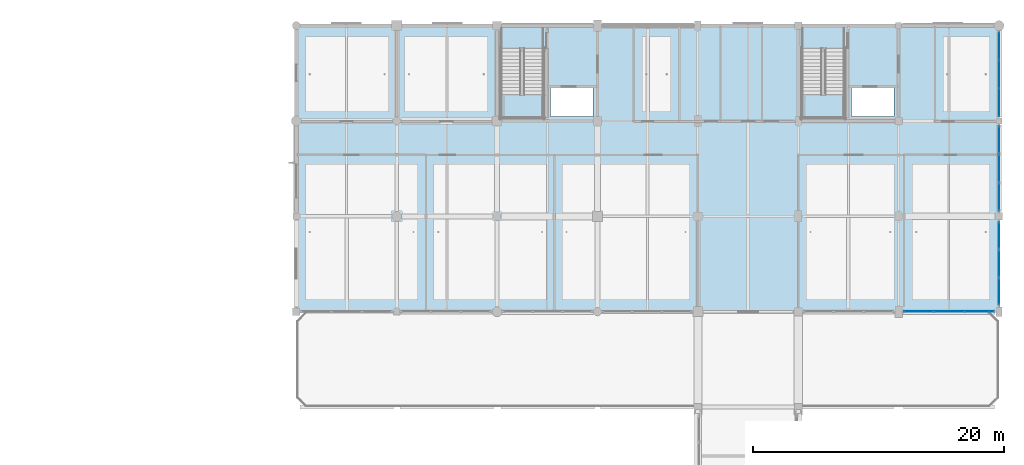
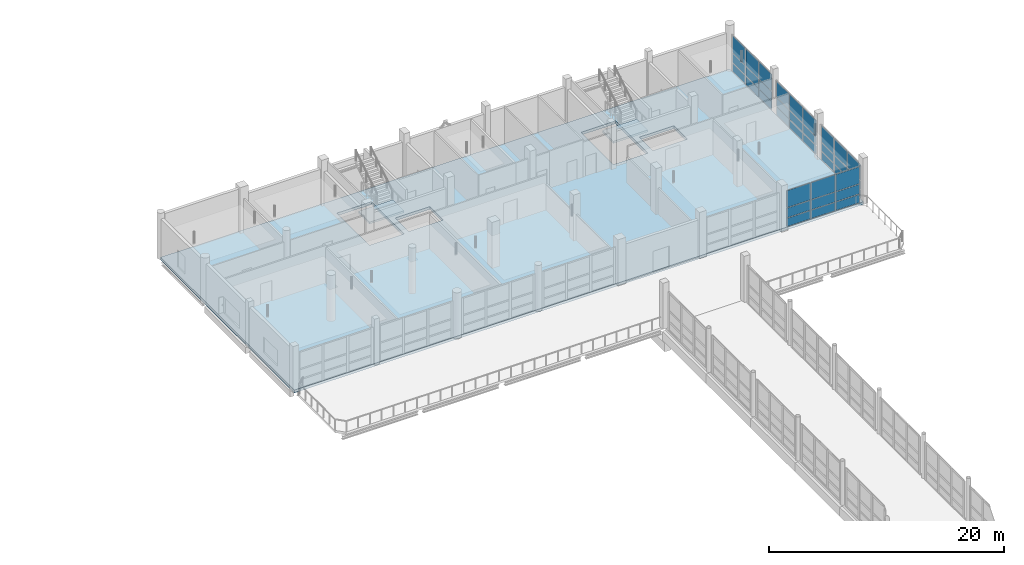
# One storey, part 82 of 141: 36 plates, 3 slabs, 6 elements without a shape of their own.
"""IFC4 building model written with IfcOpenShell, lengths in metres."""

from ifc_helpers import new_model, si_unit, direction, frame, origin, origin_2d, place, context, subcontext, project, spatial, polyline, rectangle, outline, extrude, material, layer, layer_set, type_object, element, aggregate, save


model = new_model("IFC4")

# Units and contexts
model_context = context("Model", 3, precision=1e-05, world=origin(), true_north=direction((0.0, 1.0)))
body_context = subcontext(model_context, "Body", "Model", "MODEL_VIEW")
ifc_project = project(units=[si_unit("LENGTHUNIT", "METRE"), si_unit("AREAUNIT", "SQUARE_METRE"), si_unit("VOLUMEUNIT", "CUBIC_METRE"), si_unit("PLANEANGLEUNIT", "RADIAN"), si_unit("MASSUNIT", "GRAM", prefix="KILO")], contexts=[model_context])

# Site, building, storey
site_placement = place(None, origin())
site = spatial("IfcSite", under=ifc_project, at=site_placement, CompositionType="ELEMENT")
building_placement = place(site_placement, origin())
building = spatial("IfcBuilding", under=site, at=building_placement, Name="Khelvaren Railside Concert Hall", CompositionType="ELEMENT")
storey_placement = place(building_placement, frame((0.0, 0.0, 10.199951171875)))
storey = spatial("IfcBuildingStorey", under=building, at=storey_placement, Name="L02", CompositionType="ELEMENT", Elevation=10.199951171875)

# Curtain wall, plates
ifc_material_1 = material(Name="Double-glazed clear foyer glass", Category="glass")
curtain_wall_type_1 = type_object("IfcCurtainWallType", Name="CW83", PredefinedType="USERDEFINED", material=ifc_material_1)
curtain_wall_1_placement = place(storey_placement, origin())
curtain_wall_1 = element("IfcCurtainWall", 1, at=curtain_wall_1_placement, inside=storey, type_object=curtain_wall_type_1, Name="Unitised Curtain Wall CW-V5-L02-S-176", ObjectType="UNITISED CURTAIN WALL", PredefinedType="USERDEFINED")
ifc_layer_1 = layer(ifc_material_1, 0.0439453125)
ifc_layer_set_1 = layer_set([ifc_layer_1], Name="Double-glazed clear foyer glass")
plate_type_1 = type_object("IfcPlateType", Name="CWP33", PredefinedType="CURTAIN_PANEL", material=ifc_layer_set_1)
plate_1_placement = place(storey_placement, frame((182.441162109375, 91.199951171875, 0.06494140625), z_axis=(0.0, 0.0, 1.0), x_axis=(-1.0, 0.0, 0.0)))
plate_1 = element("IfcPlate", 2, at=plate_1_placement, type_object=plate_type_1, Name="CW83 panel 1.1", PredefinedType="CURTAIN_PANEL", context=body_context, shape_type="SweptSolid", body=[
    extrude(rectangle(XDim=2.322509765625, YDim=0.0439453125, at=origin_2d()), origin(), (0.0, 0.0, 1.0), 0.8525390625),
])
plate_2_placement = place(storey_placement, frame((182.441162109375, 91.199951171875, 0.982666015625), z_axis=(0.0, 0.0, 1.0), x_axis=(-1.0, 0.0, 0.0)))
plate_2 = element("IfcPlate", 3, at=plate_2_placement, type_object=plate_type_1, Name="CW83 panel 1.2", PredefinedType="CURTAIN_PANEL", context=body_context, shape_type="SweptSolid", body=[
    extrude(rectangle(XDim=2.322509765625, YDim=0.0439453125, at=origin_2d()), origin(), (0.0, 0.0, 1.0), 0.9921875),
])
plate_3_placement = place(storey_placement, frame((182.441162109375, 91.199951171875, 2.039794921875), z_axis=(0.0, 0.0, 1.0), x_axis=(-1.0, 0.0, 0.0)))
plate_3 = element("IfcPlate", 4, at=plate_3_placement, type_object=plate_type_1, Name="CW83 panel 1.3", PredefinedType="CURTAIN_PANEL", context=body_context, shape_type="SweptSolid", body=[
    extrude(rectangle(XDim=2.322509765625, YDim=0.0439453125, at=origin_2d()), origin(), (0.0, 0.0, 1.0), 1.75537109375),
])
plate_4_placement = place(storey_placement, frame((180.02490234375, 91.199951171875, 0.06494140625), z_axis=(0.0, 0.0, 1.0), x_axis=(-1.0, 0.0, 0.0)))
plate_4 = element("IfcPlate", 5, at=plate_4_placement, type_object=plate_type_1, Name="CW83 panel 2.1", PredefinedType="CURTAIN_PANEL", context=body_context, shape_type="SweptSolid", body=[
    extrude(rectangle(XDim=2.360107421875, YDim=0.0439453125, at=origin_2d()), origin(), (0.0, 0.0, 1.0), 0.8525390625),
])
plate_5_placement = place(storey_placement, frame((180.02490234375, 91.199951171875, 0.982666015625), z_axis=(0.0, 0.0, 1.0), x_axis=(-1.0, 0.0, 0.0)))
plate_5 = element("IfcPlate", 6, at=plate_5_placement, type_object=plate_type_1, Name="CW83 panel 2.2", PredefinedType="CURTAIN_PANEL", context=body_context, shape_type="SweptSolid", body=[
    extrude(rectangle(XDim=2.360107421875, YDim=0.0439453125, at=origin_2d()), origin(), (0.0, 0.0, 1.0), 0.9921875),
])
plate_6_placement = place(storey_placement, frame((180.02490234375, 91.199951171875, 2.039794921875), z_axis=(0.0, 0.0, 1.0), x_axis=(-1.0, 0.0, 0.0)))
plate_6 = element("IfcPlate", 7, at=plate_6_placement, type_object=plate_type_1, Name="CW83 panel 2.3", PredefinedType="CURTAIN_PANEL", context=body_context, shape_type="SweptSolid", body=[
    extrude(rectangle(XDim=2.360107421875, YDim=0.0439453125, at=origin_2d()), origin(), (0.0, 0.0, 1.0), 1.75537109375),
])
plate_7_placement = place(storey_placement, frame((177.608642578125, 91.199951171875, 0.06494140625), z_axis=(0.0, 0.0, 1.0), x_axis=(-1.0, 0.0, 0.0)))
plate_7 = element("IfcPlate", 8, at=plate_7_placement, type_object=plate_type_1, Name="CW83 panel 3.1", PredefinedType="CURTAIN_PANEL", context=body_context, shape_type="SweptSolid", body=[
    extrude(rectangle(XDim=2.322509765625, YDim=0.0439453125, at=origin_2d()), origin(), (0.0, 0.0, 1.0), 0.8525390625),
])
plate_8_placement = place(storey_placement, frame((177.608642578125, 91.199951171875, 0.982666015625), z_axis=(0.0, 0.0, 1.0), x_axis=(-1.0, 0.0, 0.0)))
plate_8 = element("IfcPlate", 9, at=plate_8_placement, type_object=plate_type_1, Name="CW83 panel 3.2", PredefinedType="CURTAIN_PANEL", context=body_context, shape_type="SweptSolid", body=[
    extrude(rectangle(XDim=2.322509765625, YDim=0.0439453125, at=origin_2d()), origin(), (0.0, 0.0, 1.0), 0.9921875),
])
plate_9_placement = place(storey_placement, frame((177.608642578125, 91.199951171875, 2.039794921875), z_axis=(0.0, 0.0, 1.0), x_axis=(-1.0, 0.0, 0.0)))
plate_9 = element("IfcPlate", 10, at=plate_9_placement, type_object=plate_type_1, Name="CW83 panel 3.3", PredefinedType="CURTAIN_PANEL", context=body_context, shape_type="SweptSolid", body=[
    extrude(rectangle(XDim=2.322509765625, YDim=0.0439453125, at=origin_2d()), origin(), (0.0, 0.0, 1.0), 1.75537109375),
])
aggregate(curtain_wall_1, [plate_1, plate_2, plate_3, plate_4, plate_5, plate_6, plate_7, plate_8, plate_9])

ifc_material_2 = material(Name="Triple-glazed solar-control glass", Category="glass")
curtain_wall_type_2 = type_object("IfcCurtainWallType", Name="CW41", PredefinedType="USERDEFINED", material=ifc_material_2)
curtain_wall_2_placement = place(storey_placement, origin())
curtain_wall_2 = element("IfcCurtainWall", 11, at=curtain_wall_2_placement, inside=storey, type_object=curtain_wall_type_2, Name="Unitised Curtain Wall CW-V5-L02-E-106", ObjectType="UNITISED CURTAIN WALL", PredefinedType="USERDEFINED")
ifc_layer_2 = layer(ifc_material_2, 0.035888671875)
ifc_layer_set_2 = layer_set([ifc_layer_2], Name="Triple-glazed solar-control glass")
plate_type_2 = type_object("IfcPlateType", Name="CWP53", PredefinedType="CURTAIN_PANEL", material=ifc_layer_set_2)
plate_10_placement = place(storey_placement, frame((184.0, 112.37451171875, 0.0751953125), z_axis=(0.0, 0.0, 1.0), x_axis=(0.0, -1.0, 0.0)))
plate_10 = element("IfcPlate", 12, at=plate_10_placement, type_object=plate_type_2, Name="CW41 panel 1.1", PredefinedType="CURTAIN_PANEL", context=body_context, shape_type="SweptSolid", body=[
    extrude(rectangle(XDim=2.15576171875, YDim=0.035888671875, at=origin_2d()), origin(), (0.0, 0.0, 1.0), 0.83740234375),
])
plate_11_placement = place(storey_placement, frame((184.0, 112.37451171875, 0.98779296875), z_axis=(0.0, 0.0, 1.0), x_axis=(0.0, -1.0, 0.0)))
plate_11 = element("IfcPlate", 13, at=plate_11_placement, type_object=plate_type_2, Name="CW41 panel 1.2", PredefinedType="CURTAIN_PANEL", context=body_context, shape_type="SweptSolid", body=[
    extrude(rectangle(XDim=2.15576171875, YDim=0.035888671875, at=origin_2d()), origin(), (0.0, 0.0, 1.0), 0.982177734375),
])
plate_12_placement = place(storey_placement, frame((184.0, 112.37451171875, 2.044677734375), z_axis=(0.0, 0.0, 1.0), x_axis=(0.0, -1.0, 0.0)))
plate_12 = element("IfcPlate", 14, at=plate_12_placement, type_object=plate_type_2, Name="CW41 panel 1.3", PredefinedType="CURTAIN_PANEL", context=body_context, shape_type="SweptSolid", body=[
    extrude(rectangle(XDim=2.15576171875, YDim=0.035888671875, at=origin_2d()), origin(), (0.0, 0.0, 1.0), 1.740234375),
])
plate_13_placement = place(storey_placement, frame((184.0, 110.125, 0.0751953125), z_axis=(0.0, 0.0, 1.0), x_axis=(0.0, -1.0, 0.0)))
plate_13 = element("IfcPlate", 15, at=plate_13_placement, type_object=plate_type_2, Name="CW41 panel 2.1", PredefinedType="CURTAIN_PANEL", context=body_context, shape_type="SweptSolid", body=[
    extrude(rectangle(XDim=2.193359375, YDim=0.035888671875, at=origin_2d()), origin(), (0.0, 0.0, 1.0), 0.83740234375),
])
plate_14_placement = place(storey_placement, frame((184.0, 110.125, 0.98779296875), z_axis=(0.0, 0.0, 1.0), x_axis=(0.0, -1.0, 0.0)))
plate_14 = element("IfcPlate", 16, at=plate_14_placement, type_object=plate_type_2, Name="CW41 panel 2.2", PredefinedType="CURTAIN_PANEL", context=body_context, shape_type="SweptSolid", body=[
    extrude(rectangle(XDim=2.193359375, YDim=0.035888671875, at=origin_2d()), origin(), (0.0, 0.0, 1.0), 0.982177734375),
])
plate_15_placement = place(storey_placement, frame((184.0, 110.125, 2.044677734375), z_axis=(0.0, 0.0, 1.0), x_axis=(0.0, -1.0, 0.0)))
plate_15 = element("IfcPlate", 17, at=plate_15_placement, type_object=plate_type_2, Name="CW41 panel 2.3", PredefinedType="CURTAIN_PANEL", context=body_context, shape_type="SweptSolid", body=[
    extrude(rectangle(XDim=2.193359375, YDim=0.035888671875, at=origin_2d()), origin(), (0.0, 0.0, 1.0), 1.740234375),
])
plate_16_placement = place(storey_placement, frame((184.0, 107.87548828125, 0.0751953125), z_axis=(0.0, 0.0, 1.0), x_axis=(0.0, -1.0, 0.0)))
plate_16 = element("IfcPlate", 18, at=plate_16_placement, type_object=plate_type_2, Name="CW41 panel 3.1", PredefinedType="CURTAIN_PANEL", context=body_context, shape_type="SweptSolid", body=[
    extrude(rectangle(XDim=2.15576171875, YDim=0.035888671875, at=origin_2d()), origin(), (0.0, 0.0, 1.0), 0.83740234375),
])
plate_17_placement = place(storey_placement, frame((184.0, 107.87548828125, 0.98779296875), z_axis=(0.0, 0.0, 1.0), x_axis=(0.0, -1.0, 0.0)))
plate_17 = element("IfcPlate", 19, at=plate_17_placement, type_object=plate_type_2, Name="CW41 panel 3.2", PredefinedType="CURTAIN_PANEL", context=body_context, shape_type="SweptSolid", body=[
    extrude(rectangle(XDim=2.15576171875, YDim=0.035888671875, at=origin_2d()), origin(), (0.0, 0.0, 1.0), 0.982177734375),
])
plate_18_placement = place(storey_placement, frame((184.0, 107.87548828125, 2.044677734375), z_axis=(0.0, 0.0, 1.0), x_axis=(0.0, -1.0, 0.0)))
plate_18 = element("IfcPlate", 20, at=plate_18_placement, type_object=plate_type_2, Name="CW41 panel 3.3", PredefinedType="CURTAIN_PANEL", context=body_context, shape_type="SweptSolid", body=[
    extrude(rectangle(XDim=2.15576171875, YDim=0.035888671875, at=origin_2d()), origin(), (0.0, 0.0, 1.0), 1.740234375),
])
aggregate(curtain_wall_2, [plate_10, plate_11, plate_12, plate_13, plate_14, plate_15, plate_16, plate_17, plate_18])

ifc_material_3 = material(Name="Acoustic laminated crystal facade glass", Category="glass")
curtain_wall_type_3 = type_object("IfcCurtainWallType", Name="CW15", PredefinedType="USERDEFINED", material=ifc_material_3)
curtain_wall_3_placement = place(storey_placement, origin())
curtain_wall_3 = element("IfcCurtainWall", 21, at=curtain_wall_3_placement, inside=storey, type_object=curtain_wall_type_3, Name="Unitised Curtain Wall CW-V5-L02-E-91", ObjectType="UNITISED CURTAIN WALL", PredefinedType="USERDEFINED")
ifc_layer_3 = layer(ifc_material_3, 0.0400390625)
ifc_layer_set_3 = layer_set([ifc_layer_3], Name="Acoustic laminated crystal facade glass")
plate_type_3 = type_object("IfcPlateType", Name="CWP77", PredefinedType="CURTAIN_PANEL", material=ifc_layer_set_3)
plate_19_placement = place(storey_placement, frame((184.0, 97.27294921875, 0.0849609375), z_axis=(0.0, 0.0, 1.0), x_axis=(0.0, -1.0, 0.0)))
plate_19 = element("IfcPlate", 22, at=plate_19_placement, type_object=plate_type_3, Name="CW15 panel 1.1", PredefinedType="CURTAIN_PANEL", context=body_context, shape_type="SweptSolid", body=[
    extrude(rectangle(XDim=2.129150390625, YDim=0.0400390625, at=origin_2d()), origin(), (0.0, 0.0, 1.0), 0.822509765625),
])
plate_20_placement = place(storey_placement, frame((184.0, 97.27294921875, 0.99267578125), z_axis=(0.0, 0.0, 1.0), x_axis=(0.0, -1.0, 0.0)))
plate_20 = element("IfcPlate", 23, at=plate_20_placement, type_object=plate_type_3, Name="CW15 panel 1.2", PredefinedType="CURTAIN_PANEL", context=body_context, shape_type="SweptSolid", body=[
    extrude(rectangle(XDim=2.129150390625, YDim=0.0400390625, at=origin_2d()), origin(), (0.0, 0.0, 1.0), 0.8681640625),
])
plate_21_placement = place(storey_placement, frame((184.0, 97.27294921875, 1.94580078125), z_axis=(0.0, 0.0, 1.0), x_axis=(0.0, -1.0, 0.0)))
plate_21 = element("IfcPlate", 24, at=plate_21_placement, type_object=plate_type_3, Name="CW15 panel 1.3", PredefinedType="CURTAIN_PANEL", context=body_context, shape_type="SweptSolid", body=[
    extrude(rectangle(XDim=2.129150390625, YDim=0.0400390625, at=origin_2d()), origin(), (0.0, 0.0, 1.0), 1.62939453125),
])
plate_22_placement = place(storey_placement, frame((184.0, 95.03759765625, 0.0849609375), z_axis=(0.0, 0.0, 1.0), x_axis=(0.0, -1.0, 0.0)))
plate_22 = element("IfcPlate", 25, at=plate_22_placement, type_object=plate_type_3, Name="CW15 panel 2.1", PredefinedType="CURTAIN_PANEL", context=body_context, shape_type="SweptSolid", body=[
    extrude(rectangle(XDim=2.171630859375, YDim=0.0400390625, at=origin_2d()), origin(), (0.0, 0.0, 1.0), 0.822509765625),
])
plate_23_placement = place(storey_placement, frame((184.0, 95.03759765625, 0.99267578125), z_axis=(0.0, 0.0, 1.0), x_axis=(0.0, -1.0, 0.0)))
plate_23 = element("IfcPlate", 26, at=plate_23_placement, type_object=plate_type_3, Name="CW15 panel 2.2", PredefinedType="CURTAIN_PANEL", context=body_context, shape_type="SweptSolid", body=[
    extrude(rectangle(XDim=2.171630859375, YDim=0.0400390625, at=origin_2d()), origin(), (0.0, 0.0, 1.0), 0.8681640625),
])
plate_24_placement = place(storey_placement, frame((184.0, 95.03759765625, 1.94580078125), z_axis=(0.0, 0.0, 1.0), x_axis=(0.0, -1.0, 0.0)))
plate_24 = element("IfcPlate", 27, at=plate_24_placement, type_object=plate_type_3, Name="CW15 panel 2.3", PredefinedType="CURTAIN_PANEL", context=body_context, shape_type="SweptSolid", body=[
    extrude(rectangle(XDim=2.171630859375, YDim=0.0400390625, at=origin_2d()), origin(), (0.0, 0.0, 1.0), 1.62939453125),
])
plate_25_placement = place(storey_placement, frame((184.0, 92.802001953125, 0.0849609375), z_axis=(0.0, 0.0, 1.0), x_axis=(0.0, -1.0, 0.0)))
plate_25 = element("IfcPlate", 28, at=plate_25_placement, type_object=plate_type_3, Name="CW15 panel 3.1", PredefinedType="CURTAIN_PANEL", context=body_context, shape_type="SweptSolid", body=[
    extrude(rectangle(XDim=2.129150390625, YDim=0.0400390625, at=origin_2d()), origin(), (0.0, 0.0, 1.0), 0.822509765625),
])
plate_26_placement = place(storey_placement, frame((184.0, 92.802001953125, 0.99267578125), z_axis=(0.0, 0.0, 1.0), x_axis=(0.0, -1.0, 0.0)))
plate_26 = element("IfcPlate", 29, at=plate_26_placement, type_object=plate_type_3, Name="CW15 panel 3.2", PredefinedType="CURTAIN_PANEL", context=body_context, shape_type="SweptSolid", body=[
    extrude(rectangle(XDim=2.129150390625, YDim=0.0400390625, at=origin_2d()), origin(), (0.0, 0.0, 1.0), 0.8681640625),
])
plate_27_placement = place(storey_placement, frame((184.0, 92.802001953125, 1.94580078125), z_axis=(0.0, 0.0, 1.0), x_axis=(0.0, -1.0, 0.0)))
plate_27 = element("IfcPlate", 30, at=plate_27_placement, type_object=plate_type_3, Name="CW15 panel 3.3", PredefinedType="CURTAIN_PANEL", context=body_context, shape_type="SweptSolid", body=[
    extrude(rectangle(XDim=2.129150390625, YDim=0.0400390625, at=origin_2d()), origin(), (0.0, 0.0, 1.0), 1.62939453125),
])
aggregate(curtain_wall_3, [plate_19, plate_20, plate_21, plate_22, plate_23, plate_24, plate_25, plate_26, plate_27])

curtain_wall_type_4 = type_object("IfcCurtainWallType", Name="CW54", PredefinedType="USERDEFINED", material=ifc_material_3)
curtain_wall_4_placement = place(storey_placement, origin())
curtain_wall_4 = element("IfcCurtainWall", 31, at=curtain_wall_4_placement, inside=storey, type_object=curtain_wall_type_4, Name="Unitised Curtain Wall CW-V5-L02-E-99", ObjectType="UNITISED CURTAIN WALL", PredefinedType="USERDEFINED")
plate_28_placement = place(storey_placement, frame((184.0, 104.902099609375, 0.0849609375), z_axis=(0.0, 0.0, 1.0), x_axis=(0.0, -1.0, 0.0)))
plate_28 = element("IfcPlate", 32, at=plate_28_placement, type_object=plate_type_3, Name="CW54 panel 1.1", PredefinedType="CURTAIN_PANEL", context=body_context, shape_type="SweptSolid", body=[
    extrude(rectangle(XDim=2.1708984375, YDim=0.0400390625, at=origin_2d()), origin(), (0.0, 0.0, 1.0), 0.822509765625),
])
plate_29_placement = place(storey_placement, frame((184.0, 104.902099609375, 0.99267578125), z_axis=(0.0, 0.0, 1.0), x_axis=(0.0, -1.0, 0.0)))
plate_29 = element("IfcPlate", 33, at=plate_29_placement, type_object=plate_type_3, Name="CW54 panel 1.2", PredefinedType="CURTAIN_PANEL", context=body_context, shape_type="SweptSolid", body=[
    extrude(rectangle(XDim=2.1708984375, YDim=0.0400390625, at=origin_2d()), origin(), (0.0, 0.0, 1.0), 0.8681640625),
])
plate_30_placement = place(storey_placement, frame((184.0, 104.902099609375, 1.94580078125), z_axis=(0.0, 0.0, 1.0), x_axis=(0.0, -1.0, 0.0)))
plate_30 = element("IfcPlate", 34, at=plate_30_placement, type_object=plate_type_3, Name="CW54 panel 1.3", PredefinedType="CURTAIN_PANEL", context=body_context, shape_type="SweptSolid", body=[
    extrude(rectangle(XDim=2.1708984375, YDim=0.0400390625, at=origin_2d()), origin(), (0.0, 0.0, 1.0), 1.62939453125),
])
plate_31_placement = place(storey_placement, frame((184.0, 102.625, 0.0849609375), z_axis=(0.0, 0.0, 1.0), x_axis=(0.0, -1.0, 0.0)))
plate_31 = element("IfcPlate", 35, at=plate_31_placement, type_object=plate_type_3, Name="CW54 panel 2.1", PredefinedType="CURTAIN_PANEL", context=body_context, shape_type="SweptSolid", body=[
    extrude(rectangle(XDim=2.21337890625, YDim=0.0400390625, at=origin_2d()), origin(), (0.0, 0.0, 1.0), 0.822509765625),
])
plate_32_placement = place(storey_placement, frame((184.0, 102.625, 0.99267578125), z_axis=(0.0, 0.0, 1.0), x_axis=(0.0, -1.0, 0.0)))
plate_32 = element("IfcPlate", 36, at=plate_32_placement, type_object=plate_type_3, Name="CW54 panel 2.2", PredefinedType="CURTAIN_PANEL", context=body_context, shape_type="SweptSolid", body=[
    extrude(rectangle(XDim=2.21337890625, YDim=0.0400390625, at=origin_2d()), origin(), (0.0, 0.0, 1.0), 0.8681640625),
])
plate_33_placement = place(storey_placement, frame((184.0, 102.625, 1.94580078125), z_axis=(0.0, 0.0, 1.0), x_axis=(0.0, -1.0, 0.0)))
plate_33 = element("IfcPlate", 37, at=plate_33_placement, type_object=plate_type_3, Name="CW54 panel 2.3", PredefinedType="CURTAIN_PANEL", context=body_context, shape_type="SweptSolid", body=[
    extrude(rectangle(XDim=2.21337890625, YDim=0.0400390625, at=origin_2d()), origin(), (0.0, 0.0, 1.0), 1.62939453125),
])
plate_34_placement = place(storey_placement, frame((184.0, 100.347900390625, 0.0849609375), z_axis=(0.0, 0.0, 1.0), x_axis=(0.0, -1.0, 0.0)))
plate_34 = element("IfcPlate", 38, at=plate_34_placement, type_object=plate_type_3, Name="CW54 panel 3.1", PredefinedType="CURTAIN_PANEL", context=body_context, shape_type="SweptSolid", body=[
    extrude(rectangle(XDim=2.1708984375, YDim=0.0400390625, at=origin_2d()), origin(), (0.0, 0.0, 1.0), 0.822509765625),
])
plate_35_placement = place(storey_placement, frame((184.0, 100.347900390625, 0.99267578125), z_axis=(0.0, 0.0, 1.0), x_axis=(0.0, -1.0, 0.0)))
plate_35 = element("IfcPlate", 39, at=plate_35_placement, type_object=plate_type_3, Name="CW54 panel 3.2", PredefinedType="CURTAIN_PANEL", context=body_context, shape_type="SweptSolid", body=[
    extrude(rectangle(XDim=2.1708984375, YDim=0.0400390625, at=origin_2d()), origin(), (0.0, 0.0, 1.0), 0.8681640625),
])
plate_36_placement = place(storey_placement, frame((184.0, 100.347900390625, 1.94580078125), z_axis=(0.0, 0.0, 1.0), x_axis=(0.0, -1.0, 0.0)))
plate_36 = element("IfcPlate", 40, at=plate_36_placement, type_object=plate_type_3, Name="CW54 panel 3.3", PredefinedType="CURTAIN_PANEL", context=body_context, shape_type="SweptSolid", body=[
    extrude(rectangle(XDim=2.1708984375, YDim=0.0400390625, at=origin_2d()), origin(), (0.0, 0.0, 1.0), 1.62939453125),
])
aggregate(curtain_wall_4, [plate_28, plate_29, plate_30, plate_31, plate_32, plate_33, plate_34, plate_35, plate_36])

# Slab
ifc_material_4 = material(Name="Concrete C40/50", Category="concrete")
ifc_layer_4 = layer(ifc_material_4, 0.2900390625)
ifc_layer_set_4 = layer_set([ifc_layer_4], Name="Concrete C40/50")
slab_type_1 = type_object("IfcSlabType", Name="FS23", PredefinedType="FLOOR", material=ifc_layer_set_4)
slab_1_placement = place(storey_placement, frame((0.0, 0.0, -0.2900390625)))
element("IfcSlab", 41, at=slab_1_placement, inside=storey, type_object=slab_type_1, Name="V5 L02 Structural Floor Slab", PredefinedType="FLOOR", context=body_context, shape_type="SweptSolid", body=[
    extrude(outline(polyline([(128.0, 91.199951171875), (184.0, 91.199951171875), (184.0, 114.0), (128.0, 114.0), (128.0, 91.199951171875)]), holes=[polyline([(144.300048828125, 112.159912109375), (144.300048828125, 106.639892578125), (147.699951171875, 106.639892578125), (147.699951171875, 112.159912109375), (144.300048828125, 112.159912109375)]), polyline([(148.25, 106.75), (151.64990234375, 106.75), (151.64990234375, 109.050048828125), (148.25, 109.050048828125), (148.25, 106.75)]), polyline([(168.300048828125, 112.159912109375), (168.300048828125, 106.639892578125), (171.699951171875, 106.639892578125), (171.699951171875, 112.159912109375), (168.300048828125, 112.159912109375)]), polyline([(172.25, 106.75), (175.64990234375, 106.75), (175.64990234375, 109.050048828125), (172.25, 109.050048828125), (172.25, 106.75)])]), origin(), (0.0, 0.0, 1.0), 0.2900390625),
])

# Stair, slab
stair_type = type_object("IfcStairType", Name="ST52", PredefinedType="HALF_TURN_STAIR", material=ifc_material_4)
stair_1_placement = place(storey_placement, origin())
stair_1 = element("IfcStair", 42, at=stair_1_placement, inside=storey, type_object=stair_type, Name="L02 Core Exit Stair ST-09", PredefinedType="HALF_TURN_STAIR")
ifc_layer_5 = layer(ifc_material_4, 0.199951171875)
ifc_layer_set_5 = layer_set([ifc_layer_5], Name="Concrete C40/50")
slab_type_2 = type_object("IfcSlabType", Name="LND67", PredefinedType="LANDING", material=ifc_layer_set_5)
slab_2_placement = place(storey_placement, frame((0.0, 0.0, 2.199951171875)))
slab_2 = element("IfcSlab", 43, at=slab_2_placement, type_object=slab_type_2, Name="ST-09 landing 1", PredefinedType="LANDING", context=body_context, shape_type="SweptSolid", body=[
    extrude(outline(polyline([(144.300048828125, 108.52001953125), (144.300048828125, 106.639892578125), (147.699951171875, 106.639892578125), (147.699951171875, 108.52001953125), (144.300048828125, 108.52001953125)])), origin(), (0.0, 0.0, 1.0), 0.2001953125),
])
aggregate(stair_1, [slab_2])

stair_2_placement = place(storey_placement, origin())
stair_2 = element("IfcStair", 44, at=stair_2_placement, inside=storey, type_object=stair_type, Name="L02 Core Exit Stair ST-10", PredefinedType="HALF_TURN_STAIR")
slab_3_placement = place(storey_placement, frame((0.0, 0.0, 2.199951171875)))
slab_3 = element("IfcSlab", 45, at=slab_3_placement, type_object=slab_type_2, Name="ST-10 landing 1", PredefinedType="LANDING", context=body_context, shape_type="SweptSolid", body=[
    extrude(outline(polyline([(168.300048828125, 108.52001953125), (168.300048828125, 106.639892578125), (171.699951171875, 106.639892578125), (171.699951171875, 108.52001953125), (168.300048828125, 108.52001953125)])), origin(), (0.0, 0.0, 1.0), 0.2001953125),
])
aggregate(stair_2, [slab_3])

save(model, "model.ifc")
